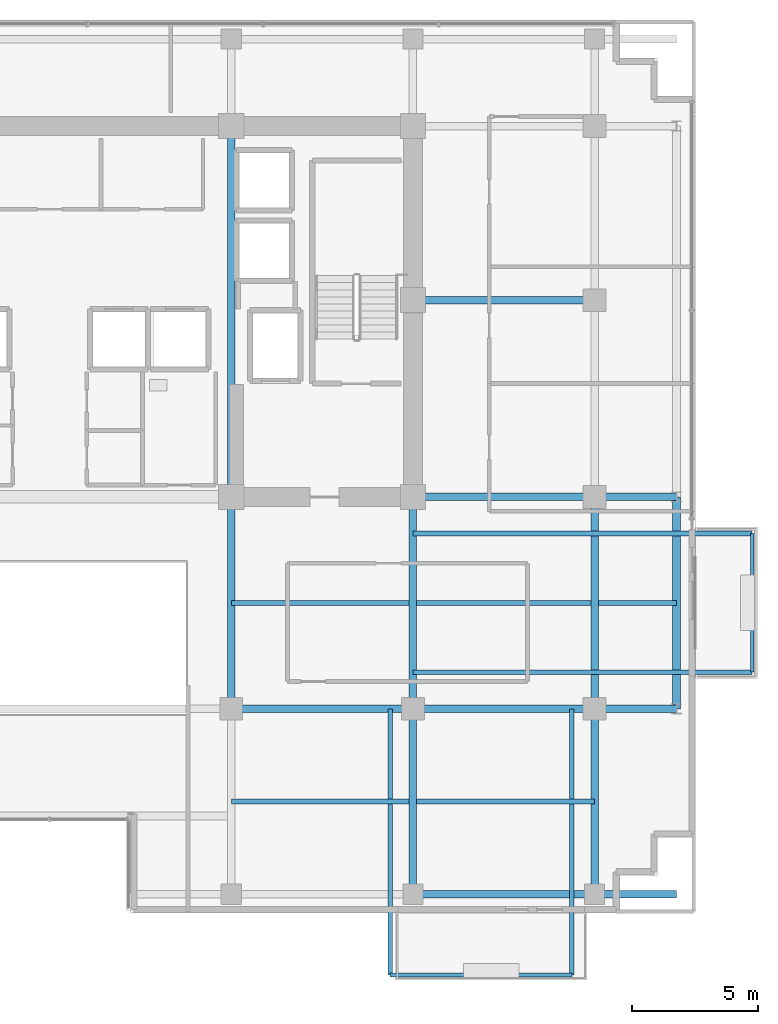
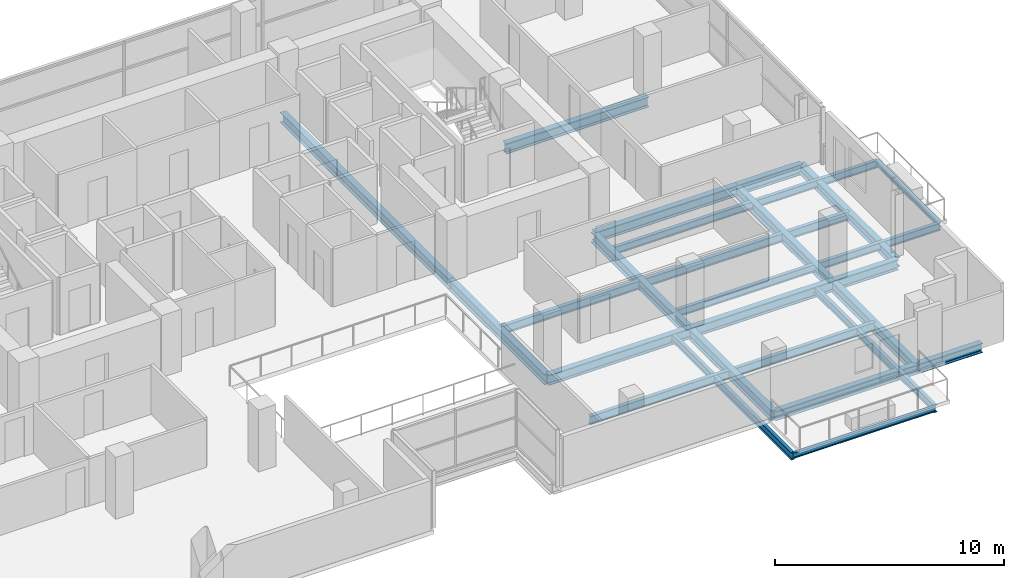
# One storey, part 12 of 25: 26 beams.
"""IFC4 building model written with IfcOpenShell, lengths in metres."""

from ifc_helpers import new_model, si_unit, direction, frame, origin, origin_2d, place, context, subcontext, project, spatial, i_section, extrude, material, material_profile, profile_set, type_object, element, save


model = new_model("IFC4")

# Units and contexts
model_context = context("Model", 3, precision=1e-05, world=origin(), true_north=direction((0.0, 1.0)))
body_context = subcontext(model_context, "Body", "Model", "MODEL_VIEW")
ifc_project = project(units=[si_unit("LENGTHUNIT", "METRE"), si_unit("AREAUNIT", "SQUARE_METRE"), si_unit("VOLUMEUNIT", "CUBIC_METRE"), si_unit("PLANEANGLEUNIT", "RADIAN"), si_unit("MASSUNIT", "GRAM", prefix="KILO")], contexts=[model_context])

# Site, building, storey
site_placement = place(None, origin())
site = spatial("IfcSite", under=ifc_project, at=site_placement, CompositionType="ELEMENT")
building_placement = place(site_placement, origin())
building = spatial("IfcBuilding", under=site, at=building_placement, Name="Zarnakvel Exchange Tower", CompositionType="ELEMENT")
storey_placement = place(building_placement, frame((0.0, 0.0, 100.0)))
storey = spatial("IfcBuildingStorey", under=building, at=storey_placement, Name="L27", CompositionType="ELEMENT", Elevation=100.0)

# Beams
ifc_material = material(Name="Steel S355", Category="steel")
ifc_material_profile_1 = material_profile(ifc_material, i_section(OverallWidth=0.18994140625, OverallDepth=0.449951171875, WebThickness=0.009521484375, FlangeThickness=0.0146484375, FilletRadius=0.02099609375, at=origin_2d()))
ifc_profile_set_1 = profile_set([ifc_material_profile_1], Name="Steel S355")
beam_type_1 = type_object("IfcBeamType", Name="B-05", PredefinedType="JOIST", material=ifc_profile_set_1)
for number, where, z_axis, x_axis, name in (
    (1, (7.199951171875, -13.27490234375, -0.449951171875), (1.0, 0.0, 0.0), (0.0, 1.0, 0.0), "L27 Composite Floor Secondary Joist"),
    (2, (14.550048828125, -13.27490234375, -0.449951171875), (1.0, 0.0, 0.0), (0.0, 1.0, 0.0), "L27 Composite Floor Secondary Joist"),
    (3, (7.199951171875, -5.39990234375, -0.449951171875), (1.0, 0.0, 0.0), (0.0, 1.0, 0.0), "L27 Composite Floor Secondary Joist"),
):
    element("IfcBeam", number, at=place(storey_placement, frame(where, z_axis=z_axis, x_axis=x_axis)), inside=storey, type_object=beam_type_1, Name=name, PredefinedType="JOIST", context=body_context, shape_type="SweptSolid", body=[
        extrude(i_section(OverallWidth=0.18994140625, OverallDepth=0.449951171875, WebThickness=0.009521484375, FlangeThickness=0.0146484375, FilletRadius=0.02099609375, at=origin_2d()), origin(), (0.0, 0.0, 1.0), 7.050048828125),
    ])
beam_1_placement = place(storey_placement, frame((14.550048828125, -5.39990234375, -0.449951171875), z_axis=(1.0, 0.0, 0.0), x_axis=(0.0, 1.0, 0.0)))
element("IfcBeam", 4, at=beam_1_placement, inside=storey, type_object=beam_type_1, Name="L27 Composite Floor Secondary Joist", PredefinedType="JOIST", context=body_context, shape_type="SweptSolid", body=[
    extrude(i_section(OverallWidth=0.18994140625, OverallDepth=0.449951171875, WebThickness=0.009521484375, FlangeThickness=0.0146484375, FilletRadius=0.02099609375, at=origin_2d()), origin(), (0.0, 0.0, 1.0), 6.89990234375),
])
beam_2_placement = place(storey_placement, frame((21.75, -5.39990234375, -0.449951171875), z_axis=(1.0, 0.0, 0.0), x_axis=(0.0, 1.0, 0.0)))
element("IfcBeam", 5, at=beam_2_placement, inside=storey, type_object=beam_type_1, Name="L27 Composite Floor Secondary Joist", PredefinedType="JOIST", context=body_context, shape_type="SweptSolid", body=[
    extrude(i_section(OverallWidth=0.18994140625, OverallDepth=0.449951171875, WebThickness=0.009521484375, FlangeThickness=0.0146484375, FilletRadius=0.02099609375, at=origin_2d()), origin(), (0.0, 0.0, 1.0), 3.10009765625),
])
ifc_material_profile_2 = material_profile(ifc_material, i_section(OverallWidth=0.179931640625, OverallDepth=0.39990234375, WebThickness=0.008544921875, FlangeThickness=0.013427734375, FilletRadius=0.02099609375, at=origin_2d()))
ifc_profile_set_2 = profile_set([ifc_material_profile_2], Name="Steel S355")
beam_type_2 = type_object("IfcBeamType", Name="B-06", PredefinedType="JOIST", material=ifc_profile_set_2)
for number, where, z_axis, x_axis, name in (
    (6, (13.5, -9.60009765625, -0.425048828125), (0.0, -1.0, 0.0), (1.0, 0.0, 0.0), "L27 Continuous Back-Spanned Balcony Beam W"),
    (7, (20.699951171875, -9.60009765625, -0.425048828125), (0.0, -1.0, 0.0), (1.0, 0.0, 0.0), "L27 Continuous Back-Spanned Balcony Beam E"),
):
    element("IfcBeam", number, at=place(storey_placement, frame(where, z_axis=z_axis, x_axis=x_axis)), inside=storey, type_object=beam_type_2, Name=name, PredefinedType="JOIST", context=body_context, shape_type="SweptSolid", body=[
        extrude(i_section(OverallWidth=0.179931640625, OverallDepth=0.39990234375, WebThickness=0.008544921875, FlangeThickness=0.013427734375, FilletRadius=0.02099609375, at=origin_2d()), origin(), (0.0, 0.0, 1.0), 10.5498046875),
    ])
for number, where, z_axis, x_axis, name in (
    (8, (14.39990234375, -8.14990234375, -0.425048828125), (1.0, 0.0, 0.0), (0.0, 1.0, 0.0), "L27 Continuous East Loggia Beam S"),
    (9, (14.39990234375, -2.64990234375, -0.425048828125), (1.0, 0.0, 0.0), (0.0, 1.0, 0.0), "L27 Continuous East Loggia Beam N"),
):
    element("IfcBeam", number, at=place(storey_placement, frame(where, z_axis=z_axis, x_axis=x_axis)), inside=storey, type_object=beam_type_2, Name=name, PredefinedType="JOIST", context=body_context, shape_type="SweptSolid", body=[
        extrude(i_section(OverallWidth=0.179931640625, OverallDepth=0.39990234375, WebThickness=0.008544921875, FlangeThickness=0.013427734375, FilletRadius=0.02099609375, at=origin_2d()), origin(), (0.0, 0.0, 1.0), 13.4501953125),
    ])
ifc_material_profile_3 = material_profile(ifc_material, i_section(OverallWidth=0.14990234375, OverallDepth=0.300048828125, WebThickness=0.007080078125, FlangeThickness=0.0107421875, FilletRadius=0.014892578125, at=origin_2d()))
ifc_profile_set_3 = profile_set([ifc_material_profile_3], Name="Steel S355")
beam_type_3 = type_object("IfcBeamType", Name="B-08", PredefinedType="JOIST", material=ifc_profile_set_3)
beam_3_placement = place(storey_placement, frame((13.5, -20.14990234375, -0.375), z_axis=(1.0, 0.0, 0.0), x_axis=(0.0, 1.0, 0.0)))
element("IfcBeam", 10, at=beam_3_placement, inside=storey, type_object=beam_type_3, Name="L27 Balcony Edge Beam", PredefinedType="JOIST", context=body_context, shape_type="SweptSolid", body=[
    extrude(i_section(OverallWidth=0.14990234375, OverallDepth=0.300048828125, WebThickness=0.007080078125, FlangeThickness=0.0107421875, FilletRadius=0.014892578125, at=origin_2d()), origin(), (0.0, 0.0, 1.0), 7.199951171875),
])
beam_4_placement = place(storey_placement, frame((27.85009765625, -8.14990234375, -0.375), z_axis=(0.0, 1.0, 0.0), x_axis=(-1.0, 0.0, 0.0)))
element("IfcBeam", 11, at=beam_4_placement, inside=storey, type_object=beam_type_3, Name="L27 East Loggia Edge Beam", PredefinedType="JOIST", context=body_context, shape_type="SweptSolid", body=[
    extrude(i_section(OverallWidth=0.14990234375, OverallDepth=0.300048828125, WebThickness=0.007080078125, FlangeThickness=0.0107421875, FilletRadius=0.014892578125, at=origin_2d()), origin(), (0.0, 0.0, 1.0), 5.5),
])
ifc_material_profile_4 = material_profile(ifc_material, i_section(OverallWidth=0.300048828125, OverallDepth=0.550048828125, WebThickness=0.014892578125, FlangeThickness=0.029052734375, FilletRadius=0.027099609375, at=origin_2d()))
ifc_profile_set_4 = profile_set([ifc_material_profile_4], Name="Steel S355")
beam_type_4 = type_object("IfcBeamType", Name="G-05", PredefinedType="BEAM", material=ifc_profile_set_4)
beam_5_placement = place(storey_placement, frame((7.199951171875, -9.60009765625, -0.5), z_axis=(1.0, 0.0, 0.0), x_axis=(0.0, 1.0, 0.0)))
element("IfcBeam", 12, at=beam_5_placement, inside=storey, type_object=beam_type_4, Name="L27 Tower E-W Frame Beam", PredefinedType="BEAM", context=body_context, shape_type="SweptSolid", body=[
    extrude(i_section(OverallWidth=0.300048828125, OverallDepth=0.550048828125, WebThickness=0.014892578125, FlangeThickness=0.029052734375, FilletRadius=0.027099609375, at=origin_2d()), origin(), (0.0, 0.0, 1.0), 7.199951171875),
])
beam_6_placement = place(storey_placement, frame((14.39990234375, -9.60009765625, -0.5), z_axis=(1.0, 0.0, 0.0), x_axis=(0.0, 1.0, 0.0)))
element("IfcBeam", 13, at=beam_6_placement, inside=storey, type_object=beam_type_4, Name="L27 Tower E-W Frame Beam", PredefinedType="BEAM", context=body_context, shape_type="SweptSolid", body=[
    extrude(i_section(OverallWidth=0.300048828125, OverallDepth=0.550048828125, WebThickness=0.014892578125, FlangeThickness=0.029052734375, FilletRadius=0.027099609375, at=origin_2d()), origin(), (0.0, 0.0, 1.0), 7.2001953125),
])
beam_7_placement = place(storey_placement, frame((21.60009765625, -9.60009765625, -0.5), z_axis=(1.0, 0.0, 0.0), x_axis=(0.0, 1.0, 0.0)))
element("IfcBeam", 14, at=beam_7_placement, inside=storey, type_object=beam_type_4, Name="L27 Tower E-W Frame Beam", PredefinedType="BEAM", context=body_context, shape_type="SweptSolid", body=[
    extrude(i_section(OverallWidth=0.300048828125, OverallDepth=0.550048828125, WebThickness=0.014892578125, FlangeThickness=0.029052734375, FilletRadius=0.027099609375, at=origin_2d()), origin(), (0.0, 0.0, 1.0), 3.25),
])
beam_8_placement = place(storey_placement, frame((14.39990234375, -1.199951171875, -0.5), z_axis=(1.0, 0.0, 0.0), x_axis=(0.0, 1.0, 0.0)))
element("IfcBeam", 15, at=beam_8_placement, inside=storey, type_object=beam_type_4, Name="L27 Tower E-W Frame Beam", PredefinedType="BEAM", context=body_context, shape_type="SweptSolid", body=[
    extrude(i_section(OverallWidth=0.300048828125, OverallDepth=0.550048828125, WebThickness=0.014892578125, FlangeThickness=0.029052734375, FilletRadius=0.027099609375, at=origin_2d()), origin(), (0.0, 0.0, 1.0), 7.2001953125),
])
beam_9_placement = place(storey_placement, frame((21.60009765625, -1.199951171875, -0.5), z_axis=(1.0, 0.0, 0.0), x_axis=(0.0, 1.0, 0.0)))
element("IfcBeam", 16, at=beam_9_placement, inside=storey, type_object=beam_type_4, Name="L27 Tower E-W Frame Beam", PredefinedType="BEAM", context=body_context, shape_type="SweptSolid", body=[
    extrude(i_section(OverallWidth=0.300048828125, OverallDepth=0.550048828125, WebThickness=0.014892578125, FlangeThickness=0.029052734375, FilletRadius=0.027099609375, at=origin_2d()), origin(), (0.0, 0.0, 1.0), 3.25),
])
beam_10_placement = place(storey_placement, frame((14.39990234375, 6.60009765625, -0.5), z_axis=(1.0, 0.0, 0.0), x_axis=(0.0, 1.0, 0.0)))
element("IfcBeam", 17, at=beam_10_placement, inside=storey, type_object=beam_type_4, Name="L27 Tower E-W Frame Beam", PredefinedType="BEAM", context=body_context, shape_type="SweptSolid", body=[
    extrude(i_section(OverallWidth=0.300048828125, OverallDepth=0.550048828125, WebThickness=0.014892578125, FlangeThickness=0.029052734375, FilletRadius=0.027099609375, at=origin_2d()), origin(), (0.0, 0.0, 1.0), 7.2001953125),
])
beam_11_placement = place(storey_placement, frame((7.199951171875, -9.60009765625, -0.5), z_axis=(0.0, 1.0, 0.0), x_axis=(-1.0, 0.0, 0.0)))
element("IfcBeam", 18, at=beam_11_placement, inside=storey, type_object=beam_type_4, Name="L27 Tower N-S Frame Beam", PredefinedType="BEAM", context=body_context, shape_type="SweptSolid", body=[
    extrude(i_section(OverallWidth=0.300048828125, OverallDepth=0.550048828125, WebThickness=0.014892578125, FlangeThickness=0.029052734375, FilletRadius=0.027099609375, at=origin_2d()), origin(), (0.0, 0.0, 1.0), 8.400146484375),
])
beam_12_placement = place(storey_placement, frame((7.199951171875, -1.199951171875, -0.5), z_axis=(0.0, 1.0, 0.0), x_axis=(-1.0, 0.0, 0.0)))
element("IfcBeam", 19, at=beam_12_placement, inside=storey, type_object=beam_type_4, Name="L27 Tower N-S Frame Beam", PredefinedType="BEAM", context=body_context, shape_type="SweptSolid", body=[
    extrude(i_section(OverallWidth=0.300048828125, OverallDepth=0.550048828125, WebThickness=0.014892578125, FlangeThickness=0.029052734375, FilletRadius=0.027099609375, at=origin_2d()), origin(), (0.0, 0.0, 1.0), 14.699951171875),
])
beam_13_placement = place(storey_placement, frame((14.39990234375, -16.949951171875, -0.5), z_axis=(0.0, 1.0, 0.0), x_axis=(-1.0, 0.0, 0.0)))
element("IfcBeam", 20, at=beam_13_placement, inside=storey, type_object=beam_type_4, Name="L27 Tower N-S Frame Beam", PredefinedType="BEAM", context=body_context, shape_type="SweptSolid", body=[
    extrude(i_section(OverallWidth=0.300048828125, OverallDepth=0.550048828125, WebThickness=0.014892578125, FlangeThickness=0.029052734375, FilletRadius=0.027099609375, at=origin_2d()), origin(), (0.0, 0.0, 1.0), 7.349853515625),
])
beam_14_placement = place(storey_placement, frame((14.39990234375, -9.60009765625, -0.5), z_axis=(0.0, 1.0, 0.0), x_axis=(-1.0, 0.0, 0.0)))
element("IfcBeam", 21, at=beam_14_placement, inside=storey, type_object=beam_type_4, Name="L27 Tower N-S Frame Beam", PredefinedType="BEAM", context=body_context, shape_type="SweptSolid", body=[
    extrude(i_section(OverallWidth=0.300048828125, OverallDepth=0.550048828125, WebThickness=0.014892578125, FlangeThickness=0.029052734375, FilletRadius=0.027099609375, at=origin_2d()), origin(), (0.0, 0.0, 1.0), 8.400146484375),
])
beam_15_placement = place(storey_placement, frame((21.60009765625, -16.949951171875, -0.5), z_axis=(0.0, 1.0, 0.0), x_axis=(-1.0, 0.0, 0.0)))
element("IfcBeam", 22, at=beam_15_placement, inside=storey, type_object=beam_type_4, Name="L27 Tower N-S Frame Beam", PredefinedType="BEAM", context=body_context, shape_type="SweptSolid", body=[
    extrude(i_section(OverallWidth=0.300048828125, OverallDepth=0.550048828125, WebThickness=0.014892578125, FlangeThickness=0.029052734375, FilletRadius=0.027099609375, at=origin_2d()), origin(), (0.0, 0.0, 1.0), 7.349853515625),
])
beam_16_placement = place(storey_placement, frame((21.60009765625, -9.60009765625, -0.5), z_axis=(0.0, 1.0, 0.0), x_axis=(-1.0, 0.0, 0.0)))
element("IfcBeam", 23, at=beam_16_placement, inside=storey, type_object=beam_type_4, Name="L27 Tower N-S Frame Beam", PredefinedType="BEAM", context=body_context, shape_type="SweptSolid", body=[
    extrude(i_section(OverallWidth=0.300048828125, OverallDepth=0.550048828125, WebThickness=0.014892578125, FlangeThickness=0.029052734375, FilletRadius=0.027099609375, at=origin_2d()), origin(), (0.0, 0.0, 1.0), 8.400146484375),
])
ifc_material_profile_5 = material_profile(ifc_material, i_section(OverallWidth=0.300048828125, OverallDepth=0.5, WebThickness=0.014404296875, FlangeThickness=0.028076171875, FilletRadius=0.027099609375, at=origin_2d()))
ifc_profile_set_5 = profile_set([ifc_material_profile_5], Name="Steel S355")
beam_type_5 = type_object("IfcBeamType", Name="SP-02", PredefinedType="SPANDREL", material=ifc_profile_set_5)
beam_17_placement = place(storey_placement, frame((14.39990234375, -16.949951171875, -0.47509765625), z_axis=(1.0, 0.0, 0.0), x_axis=(0.0, 1.0, 0.0)))
element("IfcBeam", 24, at=beam_17_placement, inside=storey, type_object=beam_type_5, Name="L27 Tower E-W Frame Beam", PredefinedType="SPANDREL", context=body_context, shape_type="SweptSolid", body=[
    extrude(i_section(OverallWidth=0.300048828125, OverallDepth=0.5, WebThickness=0.014404296875, FlangeThickness=0.028076171875, FilletRadius=0.027099609375, at=origin_2d()), origin(), (0.0, 0.0, 1.0), 7.2001953125),
])
beam_18_placement = place(storey_placement, frame((24.85009765625, -9.60009765625, -0.47509765625), z_axis=(0.0, 1.0, 0.0), x_axis=(-1.0, 0.0, 0.0)))
element("IfcBeam", 25, at=beam_18_placement, inside=storey, type_object=beam_type_5, Name="L27 Tower N-S Frame Beam", PredefinedType="SPANDREL", context=body_context, shape_type="SweptSolid", body=[
    extrude(i_section(OverallWidth=0.300048828125, OverallDepth=0.5, WebThickness=0.014404296875, FlangeThickness=0.028076171875, FilletRadius=0.027099609375, at=origin_2d()), origin(), (0.0, 0.0, 1.0), 8.400146484375),
])
beam_19_placement = place(storey_placement, frame((21.60009765625, -16.949951171875, -0.47509765625), z_axis=(1.0, 0.0, 0.0), x_axis=(0.0, 1.0, 0.0)))
element("IfcBeam", 26, at=beam_19_placement, inside=storey, type_object=beam_type_5, Name="L27 South-East Corner Spandrel", PredefinedType="SPANDREL", context=body_context, shape_type="SweptSolid", body=[
    extrude(i_section(OverallWidth=0.300048828125, OverallDepth=0.5, WebThickness=0.014404296875, FlangeThickness=0.028076171875, FilletRadius=0.027099609375, at=origin_2d()), origin(), (0.0, 0.0, 1.0), 3.25),
])

save(model, "model.ifc")
